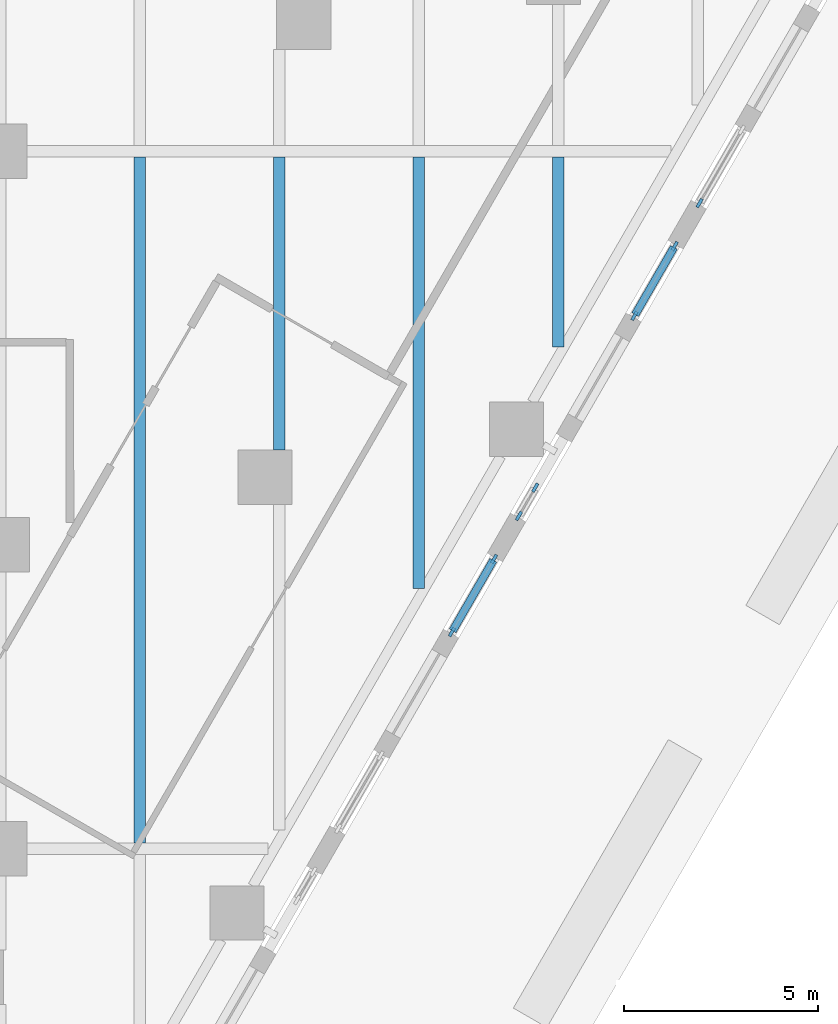
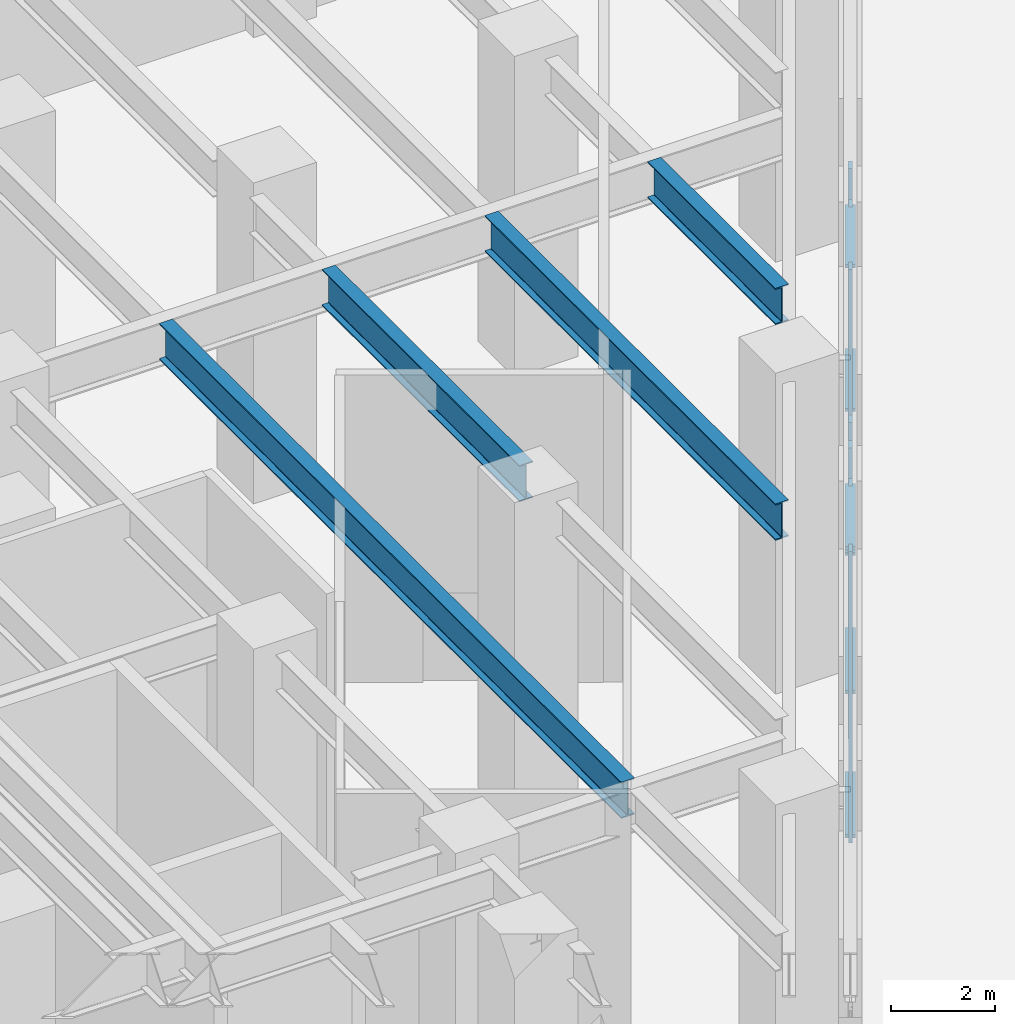
# One storey, part 10 of 37: 13 members, 4 beams, 4 elements without a shape of their own.
"""IFC4 building model written with IfcOpenShell, lengths in metres."""

from ifc_helpers import new_model, si_unit, direction, frame, origin, origin_2d, place, context, subcontext, project, spatial, rectangle, i_section, extrude, material, material_profile, profile_set, type_object, element, aggregate, save


model = new_model("IFC4")

# Units and contexts
model_context = context("Model", 3, precision=1e-05, world=origin(), true_north=direction((0.0, 1.0)))
body_context = subcontext(model_context, "Body", "Model", "MODEL_VIEW")
ifc_project = project(units=[si_unit("LENGTHUNIT", "METRE"), si_unit("AREAUNIT", "SQUARE_METRE"), si_unit("VOLUMEUNIT", "CUBIC_METRE"), si_unit("PLANEANGLEUNIT", "RADIAN"), si_unit("MASSUNIT", "GRAM", prefix="KILO")], contexts=[model_context])

# Site, building, storey
site_placement = place(None, origin())
site = spatial("IfcSite", under=ifc_project, at=site_placement, CompositionType="ELEMENT")
building_placement = place(site_placement, origin())
building = spatial("IfcBuilding", under=site, at=building_placement, Name="Aloe Facet Convention Tower", CompositionType="ELEMENT")
storey_placement = place(building_placement, origin())
storey = spatial("IfcBuildingStorey", under=building, at=storey_placement, Name="L00", CompositionType="ELEMENT", Elevation=0.0)

# Curtain wall, members
ifc_material_1 = material(Name="Aluminium, anodised", Category="aluminium")
curtain_wall_type = type_object("IfcCurtainWallType", Name="EV-CW-PORTAL", PredefinedType="USERDEFINED", material=ifc_material_1)
curtain_wall_1_placement = place(storey_placement, origin())
curtain_wall_1 = element("IfcCurtainWall", 1, at=curtain_wall_1_placement, inside=storey, type_object=curtain_wall_type, Name="CW-L00-E12B", ObjectType="ENTRANCE PORTAL GLAZING", PredefinedType="USERDEFINED")
ifc_material_2 = material(Name="Aluminium, anodised", Category="aluminium")
ifc_material_profile_1 = material_profile(ifc_material_2, rectangle(XDim=0.080078125, YDim=0.25, at=origin_2d()), Name="AL 80x250")
ifc_profile_set_1 = profile_set([ifc_material_profile_1], Name="Aluminium, anodised")
member_type_1 = type_object("IfcMemberType", Name="EV-MULL-PORTAL", PredefinedType="MULLION", material=ifc_profile_set_1)
member_1_placement = place(storey_placement, frame((109.658935546875, 86.59130859375, -0.300048828125), z_axis=(0.0, 0.0, 1.0), x_axis=(-0.86602540375, 0.50000000006, 0.0)))
member_1 = element("IfcMember", 2, at=member_1_placement, type_object=member_type_1, Name="CW-L00-E12B mullion 1", PredefinedType="MULLION", context=body_context, shape_type="SweptSolid", body=[
    extrude(rectangle(XDim=0.080078125, YDim=0.25, at=origin_2d()), origin(), (0.0, 0.0, 1.0), 6.8125),
])
member_2_placement = place(storey_placement, frame((110.749267578125, 88.479736328125, -0.300048828125), z_axis=(0.0, 0.0, 1.0), x_axis=(-0.86602540375, 0.50000000006, 0.0)))
member_2 = element("IfcMember", 3, at=member_2_placement, type_object=member_type_1, Name="CW-L00-E12B mullion 2", PredefinedType="MULLION", context=body_context, shape_type="SweptSolid", body=[
    extrude(rectangle(XDim=0.080078125, YDim=0.25, at=origin_2d()), origin(), (0.0, 0.0, 1.0), 6.8125),
])

curtain_wall_2_placement = place(storey_placement, origin())
curtain_wall_2 = element("IfcCurtainWall", 4, at=curtain_wall_2_placement, inside=storey, type_object=curtain_wall_type, Name="CW-L00-E14A", ObjectType="ENTRANCE PORTAL GLAZING", PredefinedType="USERDEFINED")
member_3_placement = place(storey_placement, frame((111.38916015625, 89.58837890625, -0.300048828125), z_axis=(0.0, 0.0, 1.0), x_axis=(-0.866025403872, 0.499999999849, 0.0)))
member_3 = element("IfcMember", 5, at=member_3_placement, type_object=member_type_1, Name="CW-L00-E14A mullion 1", PredefinedType="MULLION", context=body_context, shape_type="SweptSolid", body=[
    extrude(rectangle(XDim=0.080078125, YDim=0.25, at=origin_2d()), origin(), (0.0, 0.0, 1.0), 6.8125),
])
member_4_placement = place(storey_placement, frame((111.81103515625, 90.31884765625, -0.300048828125), z_axis=(0.0, 0.0, 1.0), x_axis=(-0.866025403872, 0.499999999849, 0.0)))
member_4 = element("IfcMember", 6, at=member_4_placement, type_object=member_type_1, Name="CW-L00-E14A mullion 2", PredefinedType="MULLION", context=body_context, shape_type="SweptSolid", body=[
    extrude(rectangle(XDim=0.080078125, YDim=0.25, at=origin_2d()), origin(), (0.0, 0.0, 1.0), 6.8125),
])
aggregate(curtain_wall_2, [member_3, member_4])

curtain_wall_3_placement = place(storey_placement, origin())
curtain_wall_3 = element("IfcCurtainWall", 7, at=curtain_wall_3_placement, inside=storey, type_object=curtain_wall_type, Name="CW-L00-E14B", ObjectType="ENTRANCE PORTAL GLAZING", PredefinedType="USERDEFINED")
member_5_placement = place(storey_placement, frame((114.36962890625, 94.75048828125, -0.300048828125), z_axis=(0.0, 0.0, 1.0), x_axis=(-0.86602540368, 0.500000000181, 0.0)))
member_5 = element("IfcMember", 8, at=member_5_placement, type_object=member_type_1, Name="CW-L00-E14B mullion 1", PredefinedType="MULLION", context=body_context, shape_type="SweptSolid", body=[
    extrude(rectangle(XDim=0.080078125, YDim=0.25, at=origin_2d()), origin(), (0.0, 0.0, 1.0), 6.8125),
])
member_6_placement = place(storey_placement, frame((115.409912109375, 96.55224609375, -0.300048828125), z_axis=(0.0, 0.0, 1.0), x_axis=(-0.86602540368, 0.500000000181, 0.0)))
member_6 = element("IfcMember", 9, at=member_6_placement, type_object=member_type_1, Name="CW-L00-E14B mullion 2", PredefinedType="MULLION", context=body_context, shape_type="SweptSolid", body=[
    extrude(rectangle(XDim=0.080078125, YDim=0.25, at=origin_2d()), origin(), (0.0, 0.0, 1.0), 6.8125),
])

# Curtain wall, member
curtain_wall_4_placement = place(storey_placement, origin())
curtain_wall_4 = element("IfcCurtainWall", 10, at=curtain_wall_4_placement, inside=storey, type_object=curtain_wall_type, Name="CW-L00-E16A", ObjectType="ENTRANCE PORTAL GLAZING", PredefinedType="USERDEFINED")
member_7_placement = place(storey_placement, frame((116.0498046875, 97.660888671875, -0.300048828125), z_axis=(0.0, 0.0, 1.0), x_axis=(-0.866025403942, 0.499999999728, 0.0)))
member_7 = element("IfcMember", 11, at=member_7_placement, type_object=member_type_1, Name="CW-L00-E16A mullion 1", PredefinedType="MULLION", context=body_context, shape_type="SweptSolid", body=[
    extrude(rectangle(XDim=0.080078125, YDim=0.25, at=origin_2d()), origin(), (0.0, 0.0, 1.0), 6.8125),
])
aggregate(curtain_wall_4, [member_7])

# Member
ifc_material_3 = material(Name="Aluminium, anodised", Category="aluminium")
ifc_material_profile_2 = material_profile(ifc_material_3, rectangle(XDim=0.199951171875, YDim=0.080078125, at=origin_2d()), Name="AL 200x80")
ifc_profile_set_2 = profile_set([ifc_material_profile_2], Name="Aluminium, anodised")
member_type_2 = type_object("IfcMemberType", Name="EV-TRAN-PORTAL", PredefinedType="USERDEFINED", material=ifc_profile_set_2)
member_8_placement = place(storey_placement, frame((109.678955078125, 86.6259765625, -0.260009765625), z_axis=(0.50001422142, 0.866017192888, 0.0), x_axis=(-0.866017192888, 0.50001422142, 0.0)))
member_8 = element("IfcMember", 12, at=member_8_placement, type_object=member_type_2, Name="CW-L00-E12B transom 1.1", ObjectType="TRANSOM", PredefinedType="USERDEFINED", context=body_context, shape_type="SweptSolid", body=[
    extrude(rectangle(XDim=0.199951171875, YDim=0.080078125, at=origin_2d()), origin(), (0.0, 0.0, 1.0), 2.1005859375),
])

member_9_placement = place(storey_placement, frame((109.678955078125, 86.6259765625, 3.106201171875), z_axis=(0.50001422142, 0.866017192888, 0.0), x_axis=(-0.866017192888, 0.50001422142, 0.0)))
member_9 = element("IfcMember", 13, at=member_9_placement, type_object=member_type_2, Name="CW-L00-E12B transom 1.2", ObjectType="TRANSOM", PredefinedType="USERDEFINED", context=body_context, shape_type="SweptSolid", body=[
    extrude(rectangle(XDim=0.199951171875, YDim=0.080078125, at=origin_2d()), origin(), (0.0, 0.0, 1.0), 2.1005859375),
])

member_10_placement = place(storey_placement, frame((109.678955078125, 86.6259765625, 6.472412109375), z_axis=(0.50001422142, 0.866017192888, 0.0), x_axis=(-0.866017192888, 0.50001422142, 0.0)))
member_10 = element("IfcMember", 14, at=member_10_placement, type_object=member_type_2, Name="CW-L00-E12B transom 1.3", ObjectType="TRANSOM", PredefinedType="USERDEFINED", context=body_context, shape_type="SweptSolid", body=[
    extrude(rectangle(XDim=0.199951171875, YDim=0.080078125, at=origin_2d()), origin(), (0.0, 0.0, 1.0), 2.1005859375),
])

aggregate(curtain_wall_1, [member_1, member_2, member_8, member_9, member_10])

member_11_placement = place(storey_placement, frame((114.3896484375, 94.784912109375, -0.260009765625), z_axis=(0.499958369336, 0.866049437925, 0.0), x_axis=(-0.866049437925, 0.499958369336, 0.0)))
member_11 = element("IfcMember", 15, at=member_11_placement, type_object=member_type_2, Name="CW-L00-E14B transom 1.1", ObjectType="TRANSOM", PredefinedType="USERDEFINED", context=body_context, shape_type="SweptSolid", body=[
    extrude(rectangle(XDim=0.199951171875, YDim=0.080078125, at=origin_2d()), origin(), (0.0, 0.0, 1.0), 2.000732421875),
])

member_12_placement = place(storey_placement, frame((114.3896484375, 94.784912109375, 3.106201171875), z_axis=(0.499958369336, 0.866049437925, 0.0), x_axis=(-0.866049437925, 0.499958369336, 0.0)))
member_12 = element("IfcMember", 16, at=member_12_placement, type_object=member_type_2, Name="CW-L00-E14B transom 1.2", ObjectType="TRANSOM", PredefinedType="USERDEFINED", context=body_context, shape_type="SweptSolid", body=[
    extrude(rectangle(XDim=0.199951171875, YDim=0.080078125, at=origin_2d()), origin(), (0.0, 0.0, 1.0), 2.000732421875),
])

member_13_placement = place(storey_placement, frame((114.3896484375, 94.784912109375, 6.472412109375), z_axis=(0.499958369336, 0.866049437925, 0.0), x_axis=(-0.866049437925, 0.499958369336, 0.0)))
member_13 = element("IfcMember", 17, at=member_13_placement, type_object=member_type_2, Name="CW-L00-E14B transom 1.3", ObjectType="TRANSOM", PredefinedType="USERDEFINED", context=body_context, shape_type="SweptSolid", body=[
    extrude(rectangle(XDim=0.199951171875, YDim=0.080078125, at=origin_2d()), origin(), (0.0, 0.0, 1.0), 2.000732421875),
])

aggregate(curtain_wall_3, [member_5, member_6, member_11, member_12, member_13])

# Beams
ifc_material_4 = material(Name="Steel S355", Category="steel")
ifc_material_profile_3 = material_profile(ifc_material_4, i_section(OverallWidth=0.293701171875, OverallDepth=0.850830078125, WebThickness=0.01611328125, FlangeThickness=0.02685546875, FilletRadius=0.017822265625, at=origin_2d()), Name="UB 838x292x226")
ifc_profile_set_3 = profile_set([ifc_material_profile_3], Name="Steel S355")
beam_type = type_object("IfcBeamType", Name="SF-B-UB838x292x226", PredefinedType="BEAM", material=ifc_profile_set_3)
beam_1_placement = place(storey_placement, frame((101.60009765625, 81.152587890625, 6.774658203125), z_axis=(0.0, 1.0, 0.0), x_axis=(-1.0, 0.0, 0.0)))
element("IfcBeam", 18, at=beam_1_placement, inside=storey, type_object=beam_type, Name="Floor beam FB-L01-151", PredefinedType="BEAM", context=body_context, shape_type="SweptSolid", body=[
    extrude(i_section(OverallWidth=0.293701171875, OverallDepth=0.850830078125, WebThickness=0.01611328125, FlangeThickness=0.02685546875, FilletRadius=0.017822265625, at=origin_2d()), origin(), (0.0, 0.0, 1.0), 17.69482421875),
])
beam_2_placement = place(storey_placement, frame((105.199951171875, 91.284912109375, 6.774658203125), z_axis=(0.0, 1.0, 0.0), x_axis=(-1.0, 0.0, 0.0)))
element("IfcBeam", 19, at=beam_2_placement, inside=storey, type_object=beam_type, Name="Floor beam FB-L01-155", PredefinedType="BEAM", context=body_context, shape_type="SweptSolid", body=[
    extrude(i_section(OverallWidth=0.293701171875, OverallDepth=0.850830078125, WebThickness=0.01611328125, FlangeThickness=0.02685546875, FilletRadius=0.017822265625, at=origin_2d()), origin(), (0.0, 0.0, 1.0), 7.5625),
])
beam_3_placement = place(storey_placement, frame((108.800048828125, 87.718017578125, 6.774658203125), z_axis=(0.0, 1.0, 0.0), x_axis=(-1.0, 0.0, 0.0)))
element("IfcBeam", 20, at=beam_3_placement, inside=storey, type_object=beam_type, Name="Floor beam FB-L01-160", PredefinedType="BEAM", context=body_context, shape_type="SweptSolid", body=[
    extrude(i_section(OverallWidth=0.293701171875, OverallDepth=0.850830078125, WebThickness=0.01611328125, FlangeThickness=0.02685546875, FilletRadius=0.017822265625, at=origin_2d()), origin(), (0.0, 0.0, 1.0), 11.12939453125),
])
beam_4_placement = place(storey_placement, frame((112.39990234375, 93.95361328125, 6.774658203125), z_axis=(0.0, 1.0, 0.0), x_axis=(-1.0, 0.0, 0.0)))
element("IfcBeam", 21, at=beam_4_placement, inside=storey, type_object=beam_type, Name="Floor beam FB-L01-163", PredefinedType="BEAM", context=body_context, shape_type="SweptSolid", body=[
    extrude(i_section(OverallWidth=0.293701171875, OverallDepth=0.850830078125, WebThickness=0.01611328125, FlangeThickness=0.02685546875, FilletRadius=0.017822265625, at=origin_2d()), origin(), (0.0, 0.0, 1.0), 4.893798828125),
])

save(model, "model.ifc")
